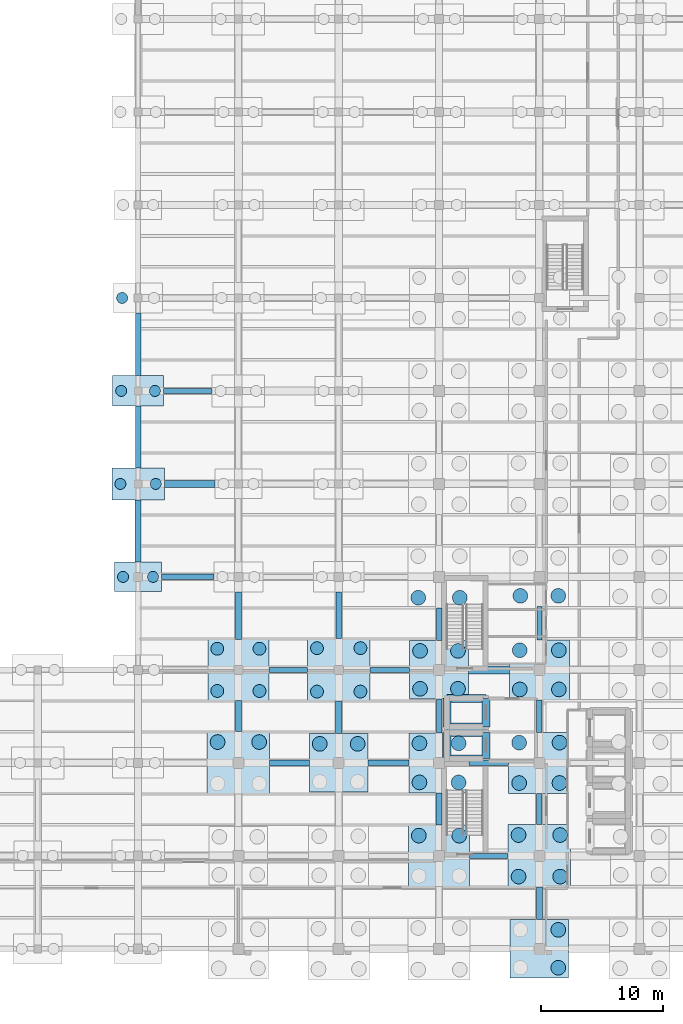
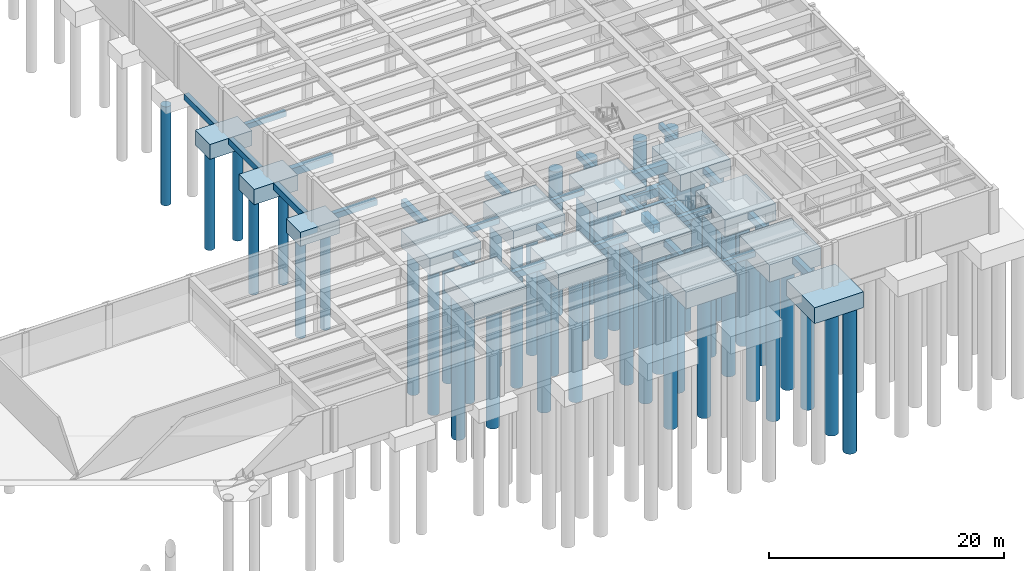
# One storey, part 3 of 29: 47 piles, 46 footings.
"""IFC4 building model written with IfcOpenShell, lengths in metres."""

from ifc_helpers import new_model, si_unit, direction, frame, origin, origin_2d, place, context, subcontext, project, spatial, rectangle, circle, extrude, material, material_profile, profile_set, type_object, element, save


model = new_model("IFC4")

# Units and contexts
model_context = context("Model", 3, precision=1e-05, world=origin(), true_north=direction((0.0, 1.0)))
body_context = subcontext(model_context, "Body", "Model", "MODEL_VIEW")
ifc_project = project(units=[si_unit("LENGTHUNIT", "METRE"), si_unit("AREAUNIT", "SQUARE_METRE"), si_unit("VOLUMEUNIT", "CUBIC_METRE"), si_unit("PLANEANGLEUNIT", "RADIAN"), si_unit("MASSUNIT", "GRAM", prefix="KILO")], contexts=[model_context])

# Site, building, storey
site_placement = place(None, origin())
site = spatial("IfcSite", under=ifc_project, at=site_placement, CompositionType="ELEMENT")
building_placement = place(site_placement, origin())
building = spatial("IfcBuilding", under=site, at=building_placement, Name="Qandaris Square Conservatory and Botanical Centre", CompositionType="ELEMENT")
storey_placement = place(building_placement, frame((0.0, 0.0, -4.800048828125)))
storey = spatial("IfcBuildingStorey", under=building, at=storey_placement, Name="B1", CompositionType="ELEMENT", Elevation=-4.800048828125)

# Piles
ifc_material_1 = material(Name="Concrete C50/60", Category="concrete")
ifc_material_profile_1 = material_profile(ifc_material_1, circle(Radius=0.52490234375, at=origin_2d()), Name="PILE D1050")
ifc_profile_set_1 = profile_set([ifc_material_profile_1], Name="Concrete C50/60")
pile_type_1 = type_object("IfcPileType", Name="Bored Pile D1050", PredefinedType="BORED", material=ifc_profile_set_1)
for number, where, z_axis, x_axis, name in (
    (1, (121.074951171875, 37.675048828125, -1.64990234375), (0.0, 0.0, -1.0), (1.0, 0.0, 0.0), "Bored Pile E15-1"),
    (2, (124.52490234375, 37.675048828125, -1.64990234375), (0.0, 0.0, -1.0), (1.0, 0.0, 0.0), "Bored Pile E15-2"),
    (3, (121.074951171875, 41.125, -1.64990234375), (0.0, 0.0, -1.0), (1.0, 0.0, 0.0), "Bored Pile E15-3"),
    (4, (124.52490234375, 41.125, -1.64990234375), (0.0, 0.0, -1.0), (1.0, 0.0, 0.0), "Bored Pile E15-4"),
):
    element("IfcPile", number, at=place(storey_placement, frame(where, z_axis=z_axis, x_axis=x_axis)), inside=storey, type_object=pile_type_1, Name=name, PredefinedType="BORED", context=body_context, shape_type="SweptSolid", body=[
        extrude(circle(Radius=0.52490234375, at=origin_2d()), origin(), (0.0, 0.0, 1.0), 15.050048828125),
    ])
for number, where, z_axis, x_axis, name in (
    (5, (129.22509765625, 37.625, -1.699951171875), (0.0, 0.0, -1.0), (1.0, 0.0, 0.0), "Bored Pile E16-1"),
    (6, (132.77490234375, 37.625, -1.699951171875), (0.0, 0.0, -1.0), (1.0, 0.0, 0.0), "Bored Pile E16-2"),
    (7, (129.22509765625, 41.175048828125, -1.699951171875), (0.0, 0.0, -1.0), (1.0, 0.0, 0.0), "Bored Pile E16-3"),
    (8, (132.77490234375, 41.175048828125, -1.699951171875), (0.0, 0.0, -1.0), (1.0, 0.0, 0.0), "Bored Pile E16-4"),
):
    element("IfcPile", number, at=place(storey_placement, frame(where, z_axis=z_axis, x_axis=x_axis)), inside=storey, type_object=pile_type_1, Name=name, PredefinedType="BORED", context=body_context, shape_type="SweptSolid", body=[
        extrude(circle(Radius=0.52490234375, at=origin_2d()), origin(), (0.0, 0.0, 1.0), 15.0),
    ])
ifc_material_profile_2 = material_profile(ifc_material_1, circle(Radius=0.60009765625, at=origin_2d()), Name="PILE D1200")
ifc_profile_set_2 = profile_set([ifc_material_profile_2], Name="Concrete C50/60")
pile_type_2 = type_object("IfcPileType", Name="Bored Pile D1200", PredefinedType="BORED", material=ifc_profile_set_2)
for number, where, z_axis, x_axis, name in (
    (9, (121.10009765625, 33.5, -1.699951171875), (0.0, 0.0, -1.0), (1.0, 0.0, 0.0), "Bored Pile D15-3"),
    (10, (124.5, 33.5, -1.699951171875), (0.0, 0.0, -1.0), (1.0, 0.0, 0.0), "Bored Pile D15-4"),
):
    element("IfcPile", number, at=place(storey_placement, frame(where, z_axis=z_axis, x_axis=x_axis)), inside=storey, type_object=pile_type_2, Name=name, PredefinedType="BORED", context=body_context, shape_type="SweptSolid", body=[
        extrude(circle(Radius=0.60009765625, at=origin_2d()), origin(), (0.0, 0.0, 1.0), 15.0),
    ])
for number, where, z_axis, x_axis, name in (
    (11, (129.449951171875, 33.35009765625, -1.550048828125), (0.0, 0.0, -1.0), (1.0, 0.0, 0.0), "Bored Pile D16-3"),
    (12, (132.550048828125, 33.35009765625, -1.550048828125), (0.0, 0.0, -1.0), (1.0, 0.0, 0.0), "Bored Pile D16-4"),
):
    element("IfcPile", number, at=place(storey_placement, frame(where, z_axis=z_axis, x_axis=x_axis)), inside=storey, type_object=pile_type_2, Name=name, PredefinedType="BORED", context=body_context, shape_type="SweptSolid", body=[
        extrude(circle(Radius=0.60009765625, at=origin_2d()), origin(), (0.0, 0.0, 1.0), 15.14990234375),
    ])
for number, where, z_axis, x_axis, name in (
    (13, (137.550048828125, 25.85009765625, -1.64990234375), (0.0, 0.0, -1.0), (1.0, 0.0, 0.0), "Bored Pile C17-3"),
    (14, (140.85009765625, 25.85009765625, -1.64990234375), (0.0, 0.0, -1.0), (1.0, 0.0, 0.0), "Bored Pile C17-4"),
):
    element("IfcPile", number, at=place(storey_placement, frame(where, z_axis=z_axis, x_axis=x_axis)), inside=storey, type_object=pile_type_2, Name=name, PredefinedType="BORED", context=body_context, shape_type="SweptSolid", body=[
        extrude(circle(Radius=0.60009765625, at=origin_2d()), origin(), (0.0, 0.0, 1.0), 15.050048828125),
    ])
for number, where, z_axis, x_axis, name in (
    (15, (137.60009765625, 30.199951171875, -1.599853515625), (0.0, 0.0, -1.0), (1.0, 0.0, 0.0), "Bored Pile D17-1"),
    (16, (140.800048828125, 30.199951171875, -1.599853515625), (0.0, 0.0, -1.0), (1.0, 0.0, 0.0), "Bored Pile D17-2"),
    (17, (137.60009765625, 33.39990234375, -1.599853515625), (0.0, 0.0, -1.0), (1.0, 0.0, 0.0), "Bored Pile D17-3"),
    (18, (140.800048828125, 33.39990234375, -1.599853515625), (0.0, 0.0, -1.0), (1.0, 0.0, 0.0), "Bored Pile D17-4"),
):
    element("IfcPile", number, at=place(storey_placement, frame(where, z_axis=z_axis, x_axis=x_axis)), inside=storey, type_object=pile_type_2, Name=name, PredefinedType="BORED", context=body_context, shape_type="SweptSolid", body=[
        extrude(circle(Radius=0.60009765625, at=origin_2d()), origin(), (0.0, 0.0, 1.0), 15.10009765625),
    ])
for number, where, z_axis, x_axis, name in (
    (19, (137.64990234375, 37.85009765625, -1.550048828125), (0.0, 0.0, -1.0), (1.0, 0.0, 0.0), "Bored Pile E17-1"),
    (20, (140.75, 37.85009765625, -1.550048828125), (0.0, 0.0, -1.0), (1.0, 0.0, 0.0), "Bored Pile E17-2"),
    (21, (137.64990234375, 40.949951171875, -1.550048828125), (0.0, 0.0, -1.0), (1.0, 0.0, 0.0), "Bored Pile E17-3"),
    (22, (140.75, 40.949951171875, -1.550048828125), (0.0, 0.0, -1.0), (1.0, 0.0, 0.0), "Bored Pile E17-4"),
):
    element("IfcPile", number, at=place(storey_placement, frame(where, z_axis=z_axis, x_axis=x_axis)), inside=storey, type_object=pile_type_2, Name=name, PredefinedType="BORED", context=body_context, shape_type="SweptSolid", body=[
        extrude(circle(Radius=0.60009765625, at=origin_2d()), origin(), (0.0, 0.0, 1.0), 15.14990234375),
    ])
for number, where, z_axis, x_axis, name in (
    (23, (137.5, 45.300048828125, -1.699951171875), (0.0, 0.0, -1.0), (1.0, 0.0, 0.0), "Bored Pile F17-1"),
    (24, (140.89990234375, 45.300048828125, -1.699951171875), (0.0, 0.0, -1.0), (1.0, 0.0, 0.0), "Bored Pile F17-2"),
):
    element("IfcPile", number, at=place(storey_placement, frame(where, z_axis=z_axis, x_axis=x_axis)), inside=storey, type_object=pile_type_2, Name=name, PredefinedType="BORED", context=body_context, shape_type="SweptSolid", body=[
        extrude(circle(Radius=0.60009765625, at=origin_2d()), origin(), (0.0, 0.0, 1.0), 15.0),
    ])
for number, where, z_axis, x_axis, name in (
    (25, (148.949951171875, 15.050048828125, -1.550048828125), (0.0, 0.0, -1.0), (1.0, 0.0, 0.0), "Bored Pile B18-2"),
    (26, (148.949951171875, 18.14990234375, -1.550048828125), (0.0, 0.0, -1.0), (1.0, 0.0, 0.0), "Bored Pile B18-4"),
):
    element("IfcPile", number, at=place(storey_placement, frame(where, z_axis=z_axis, x_axis=x_axis)), inside=storey, type_object=pile_type_2, Name=name, PredefinedType="BORED", context=body_context, shape_type="SweptSolid", body=[
        extrude(circle(Radius=0.60009765625, at=origin_2d()), origin(), (0.0, 0.0, 1.0), 15.14990234375),
    ])
for number, where, z_axis, x_axis, name in (
    (27, (145.699951171875, 22.5, -1.699951171875), (0.0, 0.0, -1.0), (1.0, 0.0, 0.0), "Bored Pile C18-1"),
    (28, (149.10009765625, 22.5, -1.699951171875), (0.0, 0.0, -1.0), (1.0, 0.0, 0.0), "Bored Pile C18-2"),
    (29, (145.699951171875, 25.89990234375, -1.699951171875), (0.0, 0.0, -1.0), (1.0, 0.0, 0.0), "Bored Pile C18-3"),
    (30, (149.10009765625, 25.89990234375, -1.699951171875), (0.0, 0.0, -1.0), (1.0, 0.0, 0.0), "Bored Pile C18-4"),
):
    element("IfcPile", number, at=place(storey_placement, frame(where, z_axis=z_axis, x_axis=x_axis)), inside=storey, type_object=pile_type_2, Name=name, PredefinedType="BORED", context=body_context, shape_type="SweptSolid", body=[
        extrude(circle(Radius=0.60009765625, at=origin_2d()), origin(), (0.0, 0.0, 1.0), 15.0),
    ])
for number, where, z_axis, x_axis, name in (
    (31, (145.75, 30.14990234375, -1.64990234375), (0.0, 0.0, -1.0), (1.0, 0.0, 0.0), "Bored Pile D18-1"),
    (32, (149.050048828125, 30.14990234375, -1.64990234375), (0.0, 0.0, -1.0), (1.0, 0.0, 0.0), "Bored Pile D18-2"),
    (33, (145.75, 33.449951171875, -1.64990234375), (0.0, 0.0, -1.0), (1.0, 0.0, 0.0), "Bored Pile D18-3"),
    (34, (149.050048828125, 33.449951171875, -1.64990234375), (0.0, 0.0, -1.0), (1.0, 0.0, 0.0), "Bored Pile D18-4"),
):
    element("IfcPile", number, at=place(storey_placement, frame(where, z_axis=z_axis, x_axis=x_axis)), inside=storey, type_object=pile_type_2, Name=name, PredefinedType="BORED", context=body_context, shape_type="SweptSolid", body=[
        extrude(circle(Radius=0.60009765625, at=origin_2d()), origin(), (0.0, 0.0, 1.0), 15.050048828125),
    ])
for number, where, z_axis, x_axis, name in (
    (35, (145.800048828125, 37.800048828125, -1.599853515625), (0.0, 0.0, -1.0), (1.0, 0.0, 0.0), "Bored Pile E18-1"),
    (36, (149.0, 37.800048828125, -1.599853515625), (0.0, 0.0, -1.0), (1.0, 0.0, 0.0), "Bored Pile E18-2"),
    (37, (145.800048828125, 41.0, -1.599853515625), (0.0, 0.0, -1.0), (1.0, 0.0, 0.0), "Bored Pile E18-3"),
    (38, (149.0, 41.0, -1.599853515625), (0.0, 0.0, -1.0), (1.0, 0.0, 0.0), "Bored Pile E18-4"),
):
    element("IfcPile", number, at=place(storey_placement, frame(where, z_axis=z_axis, x_axis=x_axis)), inside=storey, type_object=pile_type_2, Name=name, PredefinedType="BORED", context=body_context, shape_type="SweptSolid", body=[
        extrude(circle(Radius=0.60009765625, at=origin_2d()), origin(), (0.0, 0.0, 1.0), 15.10009765625),
    ])
for number, where, z_axis, x_axis, name in (
    (39, (145.85009765625, 45.449951171875, -1.550048828125), (0.0, 0.0, -1.0), (1.0, 0.0, 0.0), "Bored Pile F18-1"),
    (40, (148.949951171875, 45.449951171875, -1.550048828125), (0.0, 0.0, -1.0), (1.0, 0.0, 0.0), "Bored Pile F18-2"),
):
    element("IfcPile", number, at=place(storey_placement, frame(where, z_axis=z_axis, x_axis=x_axis)), inside=storey, type_object=pile_type_2, Name=name, PredefinedType="BORED", context=body_context, shape_type="SweptSolid", body=[
        extrude(circle(Radius=0.60009765625, at=origin_2d()), origin(), (0.0, 0.0, 1.0), 15.14990234375),
    ])
ifc_material_profile_3 = material_profile(ifc_material_1, circle(Radius=0.449951171875, at=origin_2d()), Name="PILE D900")
ifc_profile_set_3 = profile_set([ifc_material_profile_3], Name="Concrete C50/60")
pile_type_3 = type_object("IfcPileType", Name="Bored Pile D900", PredefinedType="BORED", material=ifc_profile_set_3)
for number, where, z_axis, x_axis, name in (
    (41, (113.375, 47.0, -1.349853515625), (0.0, 0.0, -1.0), (1.0, 0.0, 0.0), "Bored Pile F14-1"),
    (42, (115.824951171875, 47.0, -1.349853515625), (0.0, 0.0, -1.0), (1.0, 0.0, 0.0), "Bored Pile F14-2"),
):
    element("IfcPile", number, at=place(storey_placement, frame(where, z_axis=z_axis, x_axis=x_axis)), inside=storey, type_object=pile_type_3, Name=name, PredefinedType="BORED", context=body_context, shape_type="SweptSolid", body=[
        extrude(circle(Radius=0.449951171875, at=origin_2d()), origin(), (0.0, 0.0, 1.0), 10.35009765625),
    ])
for number, where, z_axis, x_axis, name in (
    (43, (113.14990234375, 54.60009765625, -1.5), (0.0, 0.0, -1.0), (1.0, 0.0, 0.0), "Bored Pile G14-1"),
    (44, (116.050048828125, 54.60009765625, -1.5), (0.0, 0.0, -1.0), (1.0, 0.0, 0.0), "Bored Pile G14-2"),
):
    element("IfcPile", number, at=place(storey_placement, frame(where, z_axis=z_axis, x_axis=x_axis)), inside=storey, type_object=pile_type_3, Name=name, PredefinedType="BORED", context=body_context, shape_type="SweptSolid", body=[
        extrude(circle(Radius=0.449951171875, at=origin_2d()), origin(), (0.0, 0.0, 1.0), 10.199951171875),
    ])
for number, where, z_axis, x_axis, name in (
    (45, (113.22509765625, 62.199951171875, -1.449951171875), (0.0, 0.0, -1.0), (1.0, 0.0, 0.0), "Bored Pile H14-1"),
    (46, (115.97509765625, 62.199951171875, -1.449951171875), (0.0, 0.0, -1.0), (1.0, 0.0, 0.0), "Bored Pile H14-2"),
):
    element("IfcPile", number, at=place(storey_placement, frame(where, z_axis=z_axis, x_axis=x_axis)), inside=storey, type_object=pile_type_3, Name=name, PredefinedType="BORED", context=body_context, shape_type="SweptSolid", body=[
        extrude(circle(Radius=0.449951171875, at=origin_2d()), origin(), (0.0, 0.0, 1.0), 10.25),
    ])
pile_placement = place(storey_placement, frame((113.300048828125, 69.800048828125, -1.39990234375), z_axis=(0.0, 0.0, -1.0), x_axis=(1.0, 0.0, 0.0)))
element("IfcPile", 47, at=pile_placement, inside=storey, type_object=pile_type_3, Name="Bored Pile J14-1", PredefinedType="BORED", context=body_context, shape_type="SweptSolid", body=[
    extrude(circle(Radius=0.449951171875, at=origin_2d()), origin(), (0.0, 0.0, 1.0), 10.300048828125),
])

# Footings
ifc_material_2 = material(Name="Concrete C40/50", Category="concrete")
ifc_material_profile_4 = material_profile(ifc_material_2, rectangle(XDim=0.550048828125, YDim=0.800048828125, at=origin_2d()), Name="FB 550x800")
ifc_profile_set_4 = profile_set([ifc_material_profile_4], Name="Concrete C40/50")
footing_type_1 = type_object("IfcFootingType", Name="RC Ground Tie Beam FB-02", PredefinedType="FOOTING_BEAM", material=ifc_profile_set_4)
footing_1_placement = place(storey_placement, frame((116.75, 54.60009765625, -0.39990234375), z_axis=(1.0, 0.0, 0.0), x_axis=(0.0, 1.0, 0.0)))
element("IfcFooting", 48, at=footing_1_placement, inside=storey, type_object=footing_type_1, Name="Ground Tie Beam FB-02-052", PredefinedType="FOOTING_BEAM", context=body_context, shape_type="SweptSolid", body=[
    extrude(rectangle(XDim=0.550048828125, YDim=0.800048828125, at=origin_2d()), origin(), (0.0, 0.0, 1.0), 4.125),
])
ifc_material_profile_5 = material_profile(ifc_material_2, rectangle(XDim=0.5, YDim=0.75, at=origin_2d()), Name="FB 500x750")
ifc_profile_set_5 = profile_set([ifc_material_profile_5], Name="Concrete C40/50")
footing_type_2 = type_object("IfcFootingType", Name="RC Ground Tie Beam FB-03", PredefinedType="FOOTING_BEAM", material=ifc_profile_set_5)
footing_2_placement = place(storey_placement, frame((122.800048828125, 34.35009765625, -0.375), z_axis=(0.0, 1.0, 0.0), x_axis=(-1.0, 0.0, 0.0)))
element("IfcFooting", 49, at=footing_2_placement, inside=storey, type_object=footing_type_2, Name="Ground Tie Beam FB-03-123", PredefinedType="FOOTING_BEAM", context=body_context, shape_type="SweptSolid", body=[
    extrude(rectangle(XDim=0.5, YDim=0.75, at=origin_2d()), origin(), (0.0, 0.0, 1.0), 2.5498046875),
])
ifc_material_profile_6 = material_profile(ifc_material_2, rectangle(XDim=0.5, YDim=0.699951171875, at=origin_2d()), Name="FB 500x700")
ifc_profile_set_6 = profile_set([ifc_material_profile_6], Name="Concrete C40/50")
footing_type_3 = type_object("IfcFootingType", Name="RC Ground Tie Beam FB-04", PredefinedType="FOOTING_BEAM", material=ifc_profile_set_6)
footing_3_placement = place(storey_placement, frame((125.35009765625, 31.800048828125, -0.349853515625), z_axis=(1.0, 0.0, 0.0), x_axis=(0.0, 1.0, 0.0)))
element("IfcFooting", 50, at=footing_3_placement, inside=storey, type_object=footing_type_3, Name="Ground Tie Beam FB-04-024", PredefinedType="FOOTING_BEAM", context=body_context, shape_type="SweptSolid", body=[
    extrude(rectangle(XDim=0.5, YDim=0.699951171875, at=origin_2d()), origin(), (0.0, 0.0, 1.0), 3.25),
])
footing_4_placement = place(storey_placement, frame((114.60009765625, 48.199951171875, -0.349853515625), z_axis=(0.0, 1.0, 0.0), x_axis=(-1.0, 0.0, 0.0)))
element("IfcFooting", 51, at=footing_4_placement, inside=storey, type_object=footing_type_3, Name="Ground Tie Beam FB-04-114", PredefinedType="FOOTING_BEAM", context=body_context, shape_type="SweptSolid", body=[
    extrude(rectangle(XDim=0.5, YDim=0.699951171875, at=origin_2d()), origin(), (0.0, 0.0, 1.0), 5.10009765625),
])
footing_5_placement = place(storey_placement, frame((122.800048828125, 41.89990234375, -0.349853515625), z_axis=(0.0, 1.0, 0.0), x_axis=(-1.0, 0.0, 0.0)))
element("IfcFooting", 52, at=footing_5_placement, inside=storey, type_object=footing_type_3, Name="Ground Tie Beam FB-04-124", PredefinedType="FOOTING_BEAM", context=body_context, shape_type="SweptSolid", body=[
    extrude(rectangle(XDim=0.5, YDim=0.699951171875, at=origin_2d()), origin(), (0.0, 0.0, 1.0), 3.875),
])
for number, where, z_axis, x_axis, name in (
    (53, (131.0, 34.199951171875, -0.349853515625), (0.0, 1.0, 0.0), (-1.0, 0.0, 0.0), "Ground Tie Beam FB-04-134"),
    (54, (139.199951171875, 26.699951171875, -0.349853515625), (0.0, 1.0, 0.0), (-1.0, 0.0, 0.0), "Ground Tie Beam FB-04-144"),
):
    element("IfcFooting", number, at=place(storey_placement, frame(where, z_axis=z_axis, x_axis=x_axis)), inside=storey, type_object=footing_type_3, Name=name, PredefinedType="FOOTING_BEAM", context=body_context, shape_type="SweptSolid", body=[
        extrude(rectangle(XDim=0.5, YDim=0.699951171875, at=origin_2d()), origin(), (0.0, 0.0, 1.0), 2.650146484375),
    ])
footing_6_placement = place(storey_placement, frame((147.39990234375, 19.0, -0.349853515625), z_axis=(0.0, 1.0, 0.0), x_axis=(-1.0, 0.0, 0.0)))
element("IfcFooting", 55, at=footing_6_placement, inside=storey, type_object=footing_type_3, Name="Ground Tie Beam FB-04-154", PredefinedType="FOOTING_BEAM", context=body_context, shape_type="SweptSolid", body=[
    extrude(rectangle(XDim=0.5, YDim=0.699951171875, at=origin_2d()), origin(), (0.0, 0.0, 1.0), 2.64990234375),
])
ifc_material_profile_7 = material_profile(ifc_material_2, rectangle(XDim=0.449951171875, YDim=0.64990234375, at=origin_2d()), Name="FB 450x650")
ifc_profile_set_7 = profile_set([ifc_material_profile_7], Name="Concrete C40/50")
footing_type_4 = type_object("IfcFootingType", Name="RC Ground Tie Beam FB-05", PredefinedType="FOOTING_BEAM", material=ifc_profile_set_7)
footing_7_placement = place(storey_placement, frame((133.39990234375, 31.800048828125, -0.324951171875), z_axis=(1.0, 0.0, 0.0), x_axis=(0.0, 1.0, 0.0)))
element("IfcFooting", 56, at=footing_7_placement, inside=storey, type_object=footing_type_4, Name="Ground Tie Beam FB-05-025", PredefinedType="FOOTING_BEAM", context=body_context, shape_type="SweptSolid", body=[
    extrude(rectangle(XDim=0.449951171875, YDim=0.64990234375, at=origin_2d()), origin(), (0.0, 0.0, 1.0), 3.35009765625),
])
footing_8_placement = place(storey_placement, frame((114.60009765625, 55.89990234375, -0.324951171875), z_axis=(0.0, 1.0, 0.0), x_axis=(-1.0, 0.0, 0.0)))
element("IfcFooting", 57, at=footing_8_placement, inside=storey, type_object=footing_type_4, Name="Ground Tie Beam FB-05-115", PredefinedType="FOOTING_BEAM", context=body_context, shape_type="SweptSolid", body=[
    extrude(rectangle(XDim=0.449951171875, YDim=0.64990234375, at=origin_2d()), origin(), (0.0, 0.0, 1.0), 5.050048828125),
])
footing_9_placement = place(storey_placement, frame((131.0, 41.949951171875, -0.324951171875), z_axis=(0.0, 1.0, 0.0), x_axis=(-1.0, 0.0, 0.0)))
element("IfcFooting", 58, at=footing_9_placement, inside=storey, type_object=footing_type_4, Name="Ground Tie Beam FB-05-135", PredefinedType="FOOTING_BEAM", context=body_context, shape_type="SweptSolid", body=[
    extrude(rectangle(XDim=0.449951171875, YDim=0.64990234375, at=origin_2d()), origin(), (0.0, 0.0, 1.0), 3.800048828125),
])
footing_10_placement = place(storey_placement, frame((139.199951171875, 34.25, -0.324951171875), z_axis=(0.0, 1.0, 0.0), x_axis=(-1.0, 0.0, 0.0)))
element("IfcFooting", 59, at=footing_10_placement, inside=storey, type_object=footing_type_4, Name="Ground Tie Beam FB-05-145", PredefinedType="FOOTING_BEAM", context=body_context, shape_type="SweptSolid", body=[
    extrude(rectangle(XDim=0.449951171875, YDim=0.64990234375, at=origin_2d()), origin(), (0.0, 0.0, 1.0), 2.75),
])
footing_11_placement = place(storey_placement, frame((147.39990234375, 26.75, -0.324951171875), z_axis=(0.0, 1.0, 0.0), x_axis=(-1.0, 0.0, 0.0)))
element("IfcFooting", 60, at=footing_11_placement, inside=storey, type_object=footing_type_4, Name="Ground Tie Beam FB-05-155", PredefinedType="FOOTING_BEAM", context=body_context, shape_type="SweptSolid", body=[
    extrude(rectangle(XDim=0.449951171875, YDim=0.64990234375, at=origin_2d()), origin(), (0.0, 0.0, 1.0), 2.550048828125),
])
ifc_material_profile_8 = material_profile(ifc_material_2, rectangle(XDim=0.449951171875, YDim=0.60009765625, at=origin_2d()), Name="FB 450x600")
ifc_profile_set_8 = profile_set([ifc_material_profile_8], Name="Concrete C40/50")
footing_type_5 = type_object("IfcFootingType", Name="RC Ground Tie Beam FB-06", PredefinedType="FOOTING_BEAM", material=ifc_profile_set_8)
footing_12_placement = place(storey_placement, frame((141.64990234375, 31.800048828125, -0.300048828125), z_axis=(1.0, 0.0, 0.0), x_axis=(0.0, 1.0, 0.0)))
element("IfcFooting", 61, at=footing_12_placement, inside=storey, type_object=footing_type_5, Name="Ground Tie Beam FB-06-026", PredefinedType="FOOTING_BEAM", context=body_context, shape_type="SweptSolid", body=[
    extrude(rectangle(XDim=0.449951171875, YDim=0.60009765625, at=origin_2d()), origin(), (0.0, 0.0, 1.0), 3.25),
])
footing_13_placement = place(storey_placement, frame((116.52490234375, 47.0, -0.300048828125), z_axis=(1.0, 0.0, 0.0), x_axis=(0.0, 1.0, 0.0)))
element("IfcFooting", 62, at=footing_13_placement, inside=storey, type_object=footing_type_5, Name="Ground Tie Beam FB-06-046", PredefinedType="FOOTING_BEAM", context=body_context, shape_type="SweptSolid", body=[
    extrude(rectangle(XDim=0.449951171875, YDim=0.60009765625, at=origin_2d()), origin(), (0.0, 0.0, 1.0), 4.275146484375),
])
footing_14_placement = place(storey_placement, frame((114.60009765625, 63.449951171875, -0.300048828125), z_axis=(0.0, 1.0, 0.0), x_axis=(-1.0, 0.0, 0.0)))
element("IfcFooting", 63, at=footing_14_placement, inside=storey, type_object=footing_type_5, Name="Ground Tie Beam FB-06-116", PredefinedType="FOOTING_BEAM", context=body_context, shape_type="SweptSolid", body=[
    extrude(rectangle(XDim=0.449951171875, YDim=0.60009765625, at=origin_2d()), origin(), (0.0, 0.0, 1.0), 5.125),
])
for number, where, z_axis, x_axis, name in (
    (64, (139.199951171875, 41.800048828125, -0.300048828125), (0.0, 1.0, 0.0), (-1.0, 0.0, 0.0), "Ground Tie Beam FB-06-146"),
    (65, (147.39990234375, 34.300048828125, -0.300048828125), (0.0, 1.0, 0.0), (-1.0, 0.0, 0.0), "Ground Tie Beam FB-06-156"),
):
    element("IfcFooting", number, at=place(storey_placement, frame(where, z_axis=z_axis, x_axis=x_axis)), inside=storey, type_object=footing_type_5, Name=name, PredefinedType="FOOTING_BEAM", context=body_context, shape_type="SweptSolid", body=[
        extrude(rectangle(XDim=0.449951171875, YDim=0.60009765625, at=origin_2d()), origin(), (0.0, 0.0, 1.0), 2.64990234375),
    ])
ifc_material_profile_9 = material_profile(ifc_material_2, rectangle(XDim=0.39990234375, YDim=0.60009765625, at=origin_2d()), Name="FB 400x600")
ifc_profile_set_9 = profile_set([ifc_material_profile_9], Name="Concrete C40/50")
footing_type_6 = type_object("IfcFootingType", Name="RC Ground Tie Beam FB-07", PredefinedType="FOOTING_BEAM", material=ifc_profile_set_9)
footing_15_placement = place(storey_placement, frame((125.300048828125, 39.39990234375, -0.300048828125), z_axis=(1.0, 0.0, 0.0), x_axis=(0.0, 1.0, 0.0)))
element("IfcFooting", 66, at=footing_15_placement, inside=storey, type_object=footing_type_6, Name="Ground Tie Beam FB-07-037", PredefinedType="FOOTING_BEAM", context=body_context, shape_type="SweptSolid", body=[
    extrude(rectangle(XDim=0.39990234375, YDim=0.60009765625, at=origin_2d()), origin(), (0.0, 0.0, 1.0), 3.14990234375),
])
footing_16_placement = place(storey_placement, frame((147.39990234375, 41.85009765625, -0.300048828125), z_axis=(0.0, 1.0, 0.0), x_axis=(-1.0, 0.0, 0.0)))
element("IfcFooting", 67, at=footing_16_placement, inside=storey, type_object=footing_type_6, Name="Ground Tie Beam FB-07-157", PredefinedType="FOOTING_BEAM", context=body_context, shape_type="SweptSolid", body=[
    extrude(rectangle(XDim=0.39990234375, YDim=0.60009765625, at=origin_2d()), origin(), (0.0, 0.0, 1.0), 2.75),
])
ifc_material_profile_10 = material_profile(ifc_material_2, rectangle(XDim=0.39990234375, YDim=0.550048828125, at=origin_2d()), Name="FB 400x550")
ifc_profile_set_10 = profile_set([ifc_material_profile_10], Name="Concrete C40/50")
footing_type_7 = type_object("IfcFootingType", Name="RC Ground Tie Beam FB-08", PredefinedType="FOOTING_BEAM", material=ifc_profile_set_10)
footing_17_placement = place(storey_placement, frame((141.699951171875, 24.199951171875, -0.27490234375), z_axis=(1.0, 0.0, 0.0), x_axis=(0.0, 1.0, 0.0)))
element("IfcFooting", 68, at=footing_17_placement, inside=storey, type_object=footing_type_7, Name="Ground Tie Beam FB-08-018", PredefinedType="FOOTING_BEAM", context=body_context, shape_type="SweptSolid", body=[
    extrude(rectangle(XDim=0.39990234375, YDim=0.550048828125, at=origin_2d()), origin(), (0.0, 0.0, 1.0), 3.150146484375),
])
footing_18_placement = place(storey_placement, frame((133.550048828125, 39.39990234375, -0.27490234375), z_axis=(1.0, 0.0, 0.0), x_axis=(0.0, 1.0, 0.0)))
element("IfcFooting", 69, at=footing_18_placement, inside=storey, type_object=footing_type_7, Name="Ground Tie Beam FB-08-038", PredefinedType="FOOTING_BEAM", context=body_context, shape_type="SweptSolid", body=[
    extrude(rectangle(XDim=0.39990234375, YDim=0.550048828125, at=origin_2d()), origin(), (0.0, 0.0, 1.0), 3.25),
])
footing_19_placement = place(storey_placement, frame((116.675048828125, 62.199951171875, -0.27490234375), z_axis=(1.0, 0.0, 0.0), x_axis=(0.0, 1.0, 0.0)))
element("IfcFooting", 70, at=footing_19_placement, inside=storey, type_object=footing_type_7, Name="Ground Tie Beam FB-08-058", PredefinedType="FOOTING_BEAM", context=body_context, shape_type="SweptSolid", body=[
    extrude(rectangle(XDim=0.39990234375, YDim=0.550048828125, at=origin_2d()), origin(), (0.0, 0.0, 1.0), 3.974853515625),
])
ifc_material_profile_11 = material_profile(ifc_material_2, rectangle(XDim=0.64990234375, YDim=0.89990234375, at=origin_2d()), Name="FB 650x900")
ifc_profile_set_11 = profile_set([ifc_material_profile_11], Name="Concrete C40/50")
footing_type_8 = type_object("IfcFootingType", Name="RC Ground Tie Beam FB-09", PredefinedType="FOOTING_BEAM", material=ifc_profile_set_11)
footing_20_placement = place(storey_placement, frame((141.60009765625, 39.39990234375, -0.449951171875), z_axis=(1.0, 0.0, 0.0), x_axis=(0.0, 1.0, 0.0)))
element("IfcFooting", 71, at=footing_20_placement, inside=storey, type_object=footing_type_8, Name="Ground Tie Beam FB-09-039", PredefinedType="FOOTING_BEAM", context=body_context, shape_type="SweptSolid", body=[
    extrude(rectangle(XDim=0.64990234375, YDim=0.89990234375, at=origin_2d()), origin(), (0.0, 0.0, 1.0), 3.349853515625),
])
for number, where, z_axis, x_axis, name in (
    (72, (139.8349609375, 32.135009765625, -0.800048828125), (1.0, 0.0, 0.0), (0.0, 1.0, 0.0), "Lift FFL1 Pit Foundation Wall S"),
    (73, (139.8349609375, 34.264892578125, -0.800048828125), (1.0, 0.0, 0.0), (0.0, 1.0, 0.0), "Lift FFL1 Pit Foundation Wall N"),
):
    element("IfcFooting", number, at=place(storey_placement, frame(where, z_axis=z_axis, x_axis=x_axis)), inside=storey, type_object=footing_type_8, Name=name, PredefinedType="FOOTING_BEAM", context=body_context, shape_type="SweptSolid", body=[
        extrude(rectangle(XDim=0.64990234375, YDim=0.89990234375, at=origin_2d()), origin(), (0.0, 0.0, 1.0), 3.18994140625),
    ])
for number, where, z_axis, x_axis, name in (
    (74, (139.8349609375, 32.135009765625, -0.800048828125), (0.0, 1.0, 0.0), (-1.0, 0.0, 0.0), "Lift FFL1 Pit Foundation Wall W"),
    (75, (143.02490234375, 32.135009765625, -0.800048828125), (0.0, 1.0, 0.0), (-1.0, 0.0, 0.0), "Lift FFL1 Pit Foundation Wall E"),
):
    element("IfcFooting", number, at=place(storey_placement, frame(where, z_axis=z_axis, x_axis=x_axis)), inside=storey, type_object=footing_type_8, Name=name, PredefinedType="FOOTING_BEAM", context=body_context, shape_type="SweptSolid", body=[
        extrude(rectangle(XDim=0.64990234375, YDim=0.89990234375, at=origin_2d()), origin(), (0.0, 0.0, 1.0), 2.1298828125),
    ])
for number, where, z_axis, x_axis, name in (
    (76, (139.8349609375, 34.735107421875, -0.800048828125), (1.0, 0.0, 0.0), (0.0, 1.0, 0.0), "Lift FFL2 Pit Foundation Wall S"),
    (77, (139.8349609375, 37.06494140625, -0.800048828125), (1.0, 0.0, 0.0), (0.0, 1.0, 0.0), "Lift FFL2 Pit Foundation Wall N"),
):
    element("IfcFooting", number, at=place(storey_placement, frame(where, z_axis=z_axis, x_axis=x_axis)), inside=storey, type_object=footing_type_8, Name=name, PredefinedType="FOOTING_BEAM", context=body_context, shape_type="SweptSolid", body=[
        extrude(rectangle(XDim=0.64990234375, YDim=0.89990234375, at=origin_2d()), origin(), (0.0, 0.0, 1.0), 3.18994140625),
    ])
for number, where, z_axis, x_axis, name in (
    (78, (139.8349609375, 34.735107421875, -0.800048828125), (0.0, 1.0, 0.0), (-1.0, 0.0, 0.0), "Lift FFL2 Pit Foundation Wall W"),
    (79, (143.02490234375, 34.735107421875, -0.800048828125), (0.0, 1.0, 0.0), (-1.0, 0.0, 0.0), "Lift FFL2 Pit Foundation Wall E"),
):
    element("IfcFooting", number, at=place(storey_placement, frame(where, z_axis=z_axis, x_axis=x_axis)), inside=storey, type_object=footing_type_8, Name=name, PredefinedType="FOOTING_BEAM", context=body_context, shape_type="SweptSolid", body=[
        extrude(rectangle(XDim=0.64990234375, YDim=0.89990234375, at=origin_2d()), origin(), (0.0, 0.0, 1.0), 2.329833984375),
    ])
footing_type_9 = type_object("IfcFootingType", Name="RC Pile Cap PC-01", PredefinedType="PILE_CAP", material=ifc_material_2)
for number, where, z_axis, x_axis, name in (
    (80, (122.800048828125, 31.800048828125, -1.7998046875), (0.0, 0.0, 1.0), (1.0, 0.0, 0.0), "Pile Cap PC-01 at D15"),
    (81, (131.0, 39.39990234375, -1.7998046875), (0.0, 0.0, 1.0), (1.0, 0.0, 0.0), "Pile Cap PC-01 at E16"),
    (82, (147.39990234375, 24.199951171875, -1.7998046875), (0.0, 0.0, 1.0), (1.0, 0.0, 0.0), "Pile Cap PC-01 at C18"),
):
    element("IfcFooting", number, at=place(storey_placement, frame(where, z_axis=z_axis, x_axis=x_axis)), inside=storey, type_object=footing_type_9, Name=name, PredefinedType="PILE_CAP", context=body_context, shape_type="SweptSolid", body=[
        extrude(rectangle(XDim=5.10009765625, YDim=5.10009765625, at=origin_2d()), origin(), (0.0, 0.0, 1.0), 1.800048828125),
    ])
footing_type_10 = type_object("IfcFootingType", Name="RC Pile Cap PC-02", PredefinedType="PILE_CAP", material=ifc_material_2)
for number, where, z_axis, x_axis, name in (
    (83, (122.800048828125, 39.39990234375, -1.75), (0.0, 0.0, 1.0), (1.0, 0.0, 0.0), "Pile Cap PC-02 at E15"),
    (84, (139.199951171875, 24.199951171875, -1.75), (0.0, 0.0, 1.0), (1.0, 0.0, 0.0), "Pile Cap PC-02 at C17"),
    (85, (147.39990234375, 31.800048828125, -1.75), (0.0, 0.0, 1.0), (1.0, 0.0, 0.0), "Pile Cap PC-02 at D18"),
):
    element("IfcFooting", number, at=place(storey_placement, frame(where, z_axis=z_axis, x_axis=x_axis)), inside=storey, type_object=footing_type_10, Name=name, PredefinedType="PILE_CAP", context=body_context, shape_type="SweptSolid", body=[
        extrude(rectangle(XDim=5.0, YDim=5.0, at=origin_2d()), origin(), (0.0, 0.0, 1.0), 1.75),
    ])
footing_type_11 = type_object("IfcFootingType", Name="RC Pile Cap PC-03", PredefinedType="PILE_CAP", material=ifc_material_2)
for number, where, z_axis, x_axis, name in (
    (86, (139.199951171875, 31.800048828125, -1.69970703125), (0.0, 0.0, 1.0), (1.0, 0.0, 0.0), "Pile Cap PC-03 at D17"),
    (87, (147.39990234375, 39.39990234375, -1.69970703125), (0.0, 0.0, 1.0), (1.0, 0.0, 0.0), "Pile Cap PC-03 at E18"),
):
    element("IfcFooting", number, at=place(storey_placement, frame(where, z_axis=z_axis, x_axis=x_axis)), inside=storey, type_object=footing_type_11, Name=name, PredefinedType="PILE_CAP", context=body_context, shape_type="SweptSolid", body=[
        extrude(rectangle(XDim=4.89990234375, YDim=4.89990234375, at=origin_2d()), origin(), (0.0, 0.0, 1.0), 1.699951171875),
    ])
footing_type_12 = type_object("IfcFootingType", Name="RC Pile Cap PC-04", PredefinedType="PILE_CAP", material=ifc_material_2)
for number, where, z_axis, x_axis, name in (
    (88, (131.0, 31.800048828125, -1.64990234375), (0.0, 0.0, 1.0), (1.0, 0.0, 0.0), "Pile Cap PC-04 at D16"),
    (89, (139.199951171875, 39.39990234375, -1.64990234375), (0.0, 0.0, 1.0), (1.0, 0.0, 0.0), "Pile Cap PC-04 at E17"),
    (90, (147.39990234375, 16.60009765625, -1.64990234375), (0.0, 0.0, 1.0), (1.0, 0.0, 0.0), "Pile Cap PC-04 at B18"),
):
    element("IfcFooting", number, at=place(storey_placement, frame(where, z_axis=z_axis, x_axis=x_axis)), inside=storey, type_object=footing_type_12, Name=name, PredefinedType="PILE_CAP", context=body_context, shape_type="SweptSolid", body=[
        extrude(rectangle(XDim=4.800048828125, YDim=4.800048828125, at=origin_2d()), origin(), (0.0, 0.0, 1.0), 1.64990234375),
    ])
footing_type_13 = type_object("IfcFootingType", Name="RC Pile Cap PC-05", PredefinedType="PILE_CAP", material=ifc_material_2)
footing_21_placement = place(storey_placement, frame((114.60009765625, 54.60009765625, -1.60009765625), z_axis=(0.0, 0.0, 1.0), x_axis=(1.0, 0.0, 0.0)))
element("IfcFooting", 91, at=footing_21_placement, inside=storey, type_object=footing_type_13, Name="Pile Cap PC-05 at G14", PredefinedType="PILE_CAP", context=body_context, shape_type="SweptSolid", body=[
    extrude(rectangle(XDim=4.300048828125, YDim=2.60009765625, at=origin_2d()), origin(), (0.0, 0.0, 1.0), 1.60009765625),
])
footing_type_14 = type_object("IfcFootingType", Name="RC Pile Cap PC-06", PredefinedType="PILE_CAP", material=ifc_material_2)
footing_22_placement = place(storey_placement, frame((114.60009765625, 62.199951171875, -1.5498046875), z_axis=(0.0, 0.0, 1.0), x_axis=(1.0, 0.0, 0.0)))
element("IfcFooting", 92, at=footing_22_placement, inside=storey, type_object=footing_type_14, Name="Pile Cap PC-06 at H14", PredefinedType="PILE_CAP", context=body_context, shape_type="SweptSolid", body=[
    extrude(rectangle(XDim=4.14990234375, YDim=2.5, at=origin_2d()), origin(), (0.0, 0.0, 1.0), 1.550048828125),
])
footing_type_15 = type_object("IfcFootingType", Name="RC Pile Cap PC-08", PredefinedType="PILE_CAP", material=ifc_material_2)
footing_23_placement = place(storey_placement, frame((114.60009765625, 47.0, -1.44970703125), z_axis=(0.0, 0.0, 1.0), x_axis=(1.0, 0.0, 0.0)))
element("IfcFooting", 93, at=footing_23_placement, inside=storey, type_object=footing_type_15, Name="Pile Cap PC-08 at F14", PredefinedType="PILE_CAP", context=body_context, shape_type="SweptSolid", body=[
    extrude(rectangle(XDim=3.85009765625, YDim=2.39990234375, at=origin_2d()), origin(), (0.0, 0.0, 1.0), 1.449951171875),
])

save(model, "model.ifc")
